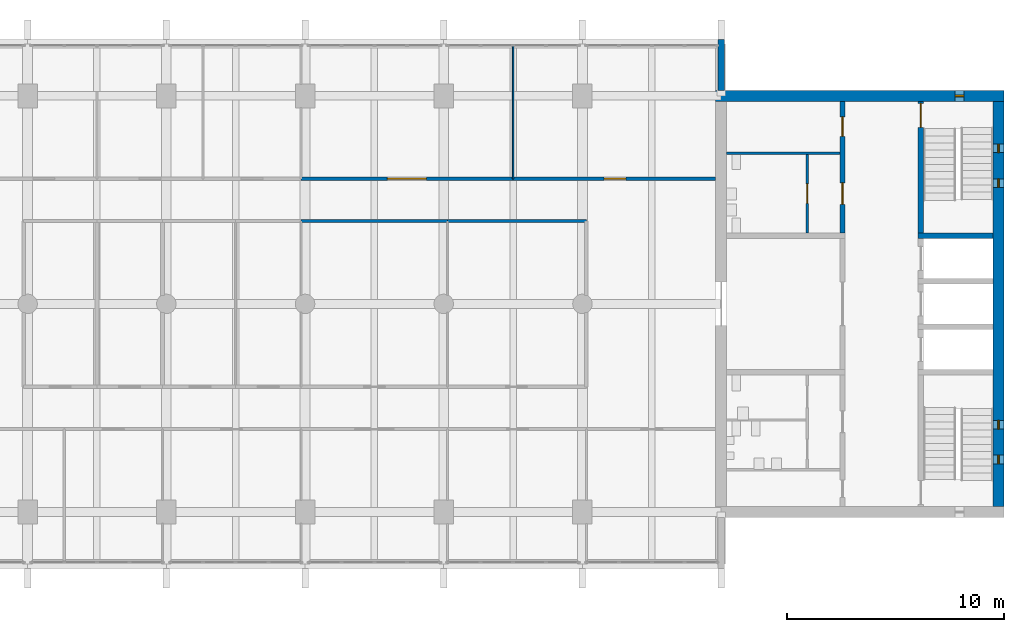
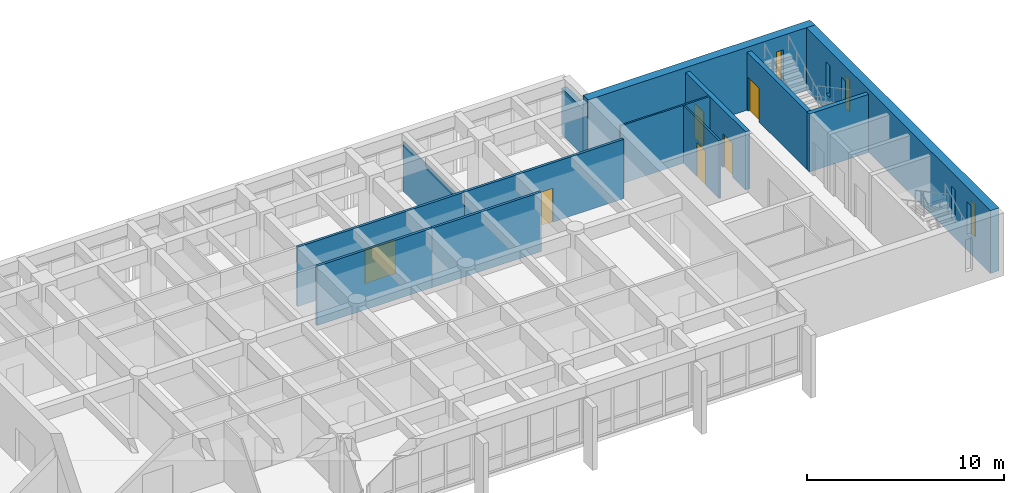
# One storey, part 12 of 15: 13 walls, 6 doors, 5 windows, 11 openings.
"""IFC4 building model written with IfcOpenShell, lengths in metres."""

from ifc_helpers import new_model, si_unit, direction, frame, frame_2d, origin, place, context, subcontext, project, spatial, rectangle, extrude, material, layer, layer_set, type_object, element, fill, save


model = new_model("IFC4")

# Units and contexts
model_context = context("Model", 3, precision=1e-05, world=origin(), true_north=direction((0.0, 1.0)))
body_context = subcontext(model_context, "Body", "Model", "MODEL_VIEW")
ifc_project = project(units=[si_unit("LENGTHUNIT", "METRE"), si_unit("AREAUNIT", "SQUARE_METRE"), si_unit("VOLUMEUNIT", "CUBIC_METRE"), si_unit("PLANEANGLEUNIT", "RADIAN"), si_unit("MASSUNIT", "GRAM", prefix="KILO")], contexts=[model_context])

# Site, building, storey
site_placement = place(None, origin())
site = spatial("IfcSite", under=ifc_project, at=site_placement, CompositionType="ELEMENT")
building_placement = place(site_placement, origin())
building = spatial("IfcBuilding", under=site, at=building_placement, Name="Fogon Plaza Fire Station and Headquarters Tower", CompositionType="ELEMENT")
storey_placement = place(building_placement, frame((0.0, 0.0, 48.300048828125)))
storey = spatial("IfcBuildingStorey", under=building, at=storey_placement, Name="L12", CompositionType="ELEMENT", Elevation=48.300048828125)

# Wall
ifc_material_1 = material(Name="Concrete C40", Category="concrete")
ifc_layer_1 = layer(ifc_material_1, 0.25)
ifc_layer_set_1 = layer_set([ifc_layer_1], Name="Concrete C40")
wall_type_1 = type_object("IfcWallType", Name="Core Wall RC 250", PredefinedType="SOLIDWALL", material=ifc_layer_set_1)
wall_1_placement = place(storey_placement, frame((76.550048828125, 46.35009765625, 0.0), z_axis=(0.0, 0.0, 1.0), x_axis=(-1.0, 0.0, 0.0)))
element("IfcWall", 1, at=wall_1_placement, inside=storey, type_object=wall_type_1, Name="Core B shaft wall", PredefinedType="SOLIDWALL", context=body_context, shape_type="SweptSolid", body=[
    extrude(rectangle(XDim=3.47509765625, YDim=0.25, at=frame_2d((1.737548828125, 0.0))), origin(), (0.0, 0.0, 1.0), 3.599853515625),
])

# Wall, opening, door
wall_2_placement = place(storey_placement, frame((73.199951171875, 46.47509765625, 0.0), z_axis=(0.0, 0.0, 1.0), x_axis=(0.0, 1.0, 0.0)))
wall_2 = element("IfcWall", 2, at=wall_2_placement, inside=storey, type_object=wall_type_1, Name="Core B shaft wall", PredefinedType="SOLIDWALL", context=body_context, shape_type="SweptSolid", body=[
    extrude(rectangle(XDim=6.074951171875, YDim=0.25, at=frame_2d((3.03759765625, 0.0))), origin(), (0.0, 0.0, 1.0), 3.599853515625),
])
opening_1_placement = place(wall_2_placement, frame((4.875, 0.0, 0.0)))
opening_1 = element("IfcOpeningElement", 3, at=opening_1_placement, cuts=wall_2, Name="Opening L12-D16", PredefinedType="OPENING", context=body_context, shape_type="SweptSolid", body=[
    extrude(rectangle(XDim=1.10009765625, YDim=2.10009765625, at=frame_2d((0.550048828125, 1.050048828125))), frame((0.0, 0.135009765625, 0.0), z_axis=(0.0, -1.0, 0.0), x_axis=(1.0, 0.0, 0.0)), (0.0, 0.0, 1.0), 0.27001953125),
])
ifc_material_2 = material(Name="Steel Fire Door Leaf", Category="steel")
door_type_1 = type_object("IfcDoorType", Name="Stair Door Single 1100x2100", OperationType="SINGLE_SWING_LEFT", PredefinedType="DOOR", material=ifc_material_2)
door_1_placement = place(opening_1_placement, frame((1.10009765625, 0.0, 0.0), z_axis=(0.0, 0.0, 1.0), x_axis=(-1.0, 0.0, 0.0)))
door_1 = element("IfcDoor", 4, at=door_1_placement, inside=storey, type_object=door_type_1, Name="Stair door ST4", OperationType="SINGLE_SWING_LEFT", OverallHeight=2.10009765625, OverallWidth=1.10009765625, PredefinedType="DOOR", context=body_context, shape_type="SweptSolid", body=[
    extrude(rectangle(XDim=1.10009765625, YDim=2.10009765625, at=frame_2d((0.550048828125, 1.050048828125))), frame((0.0, 0.02490234375, 0.0), z_axis=(0.0, -1.0, 0.0), x_axis=(1.0, 0.0, 0.0)), (0.0, 0.0, 1.0), 0.050048828125),
])
fill(opening_1, door_1)

# Wall, openings, doors
wall_3_placement = place(storey_placement, frame((69.60009765625, 46.47509765625, 0.0), z_axis=(0.0, 0.0, 1.0), x_axis=(0.0, 1.0, 0.0)))
wall_3 = element("IfcWall", 5, at=wall_3_placement, inside=storey, type_object=wall_type_1, Name="Core B shaft wall", PredefinedType="SOLIDWALL", context=body_context, shape_type="SweptSolid", body=[
    extrude(rectangle(XDim=6.074951171875, YDim=0.25, at=frame_2d((3.03759765625, 0.0))), origin(), (0.0, 0.0, 1.0), 3.599853515625),
])
opening_2_placement = place(wall_3_placement, frame((1.3125, 0.0, 0.0)))
opening_2 = element("IfcOpeningElement", 6, at=opening_2_placement, cuts=wall_3, Name="Opening L12-D26", PredefinedType="OPENING", context=body_context, shape_type="SweptSolid", body=[
    extrude(rectangle(XDim=1.0, YDim=2.10009765625, at=frame_2d((0.5, 1.050048828125))), frame((0.0, 0.135009765625, 0.0), z_axis=(0.0, -1.0, 0.0), x_axis=(1.0, 0.0, 0.0)), (0.0, 0.0, 1.0), 0.27001953125),
])
opening_3_placement = place(wall_3_placement, frame((4.449951171875, 0.0, 0.0)))
opening_3 = element("IfcOpeningElement", 7, at=opening_3_placement, cuts=wall_3, Name="Opening L12-D28", PredefinedType="OPENING", context=body_context, shape_type="SweptSolid", body=[
    extrude(rectangle(XDim=0.89990234375, YDim=2.10009765625, at=frame_2d((0.449951171875, 1.050048828125))), frame((0.0, 0.135009765625, 0.0), z_axis=(0.0, -1.0, 0.0), x_axis=(1.0, 0.0, 0.0)), (0.0, 0.0, 1.0), 0.27001953125),
])
ifc_material_3 = material(Name="Steel Fire Door Leaf", Category="steel")
door_type_2 = type_object("IfcDoorType", Name="Riser Single 900x2100", OperationType="SINGLE_SWING_LEFT", PredefinedType="DOOR", material=ifc_material_3)
door_2_placement = place(opening_3_placement, origin())
door_2 = element("IfcDoor", 8, at=door_2_placement, inside=storey, type_object=door_type_2, Name="Riser room B door", OperationType="SINGLE_SWING_LEFT", OverallHeight=2.10009765625, OverallWidth=0.89990234375, PredefinedType="DOOR", context=body_context, shape_type="SweptSolid", body=[
    extrude(rectangle(XDim=0.89990234375, YDim=2.10009765625, at=frame_2d((0.449951171875, 1.050048828125))), frame((0.0, 0.02490234375, 0.0), z_axis=(0.0, -1.0, 0.0), x_axis=(1.0, 0.0, 0.0)), (0.0, 0.0, 1.0), 0.050048828125),
])
fill(opening_3, door_2)
ifc_material_4 = material(Name="Timber fire door", Category="wood")
door_type_3 = type_object("IfcDoorType", Name="WC Lobby Single 1000x2100", OperationType="SINGLE_SWING_LEFT", PredefinedType="DOOR", material=ifc_material_4)
door_3_placement = place(opening_2_placement, origin())
door_3 = element("IfcDoor", 9, at=door_3_placement, inside=storey, type_object=door_type_3, Name="Women's WC lobby B door", OperationType="SINGLE_SWING_LEFT", OverallHeight=2.10009765625, OverallWidth=1.0, PredefinedType="DOOR", context=body_context, shape_type="SweptSolid", body=[
    extrude(rectangle(XDim=1.0, YDim=2.10009765625, at=frame_2d((0.5, 1.050048828125))), frame((0.0, 0.02490234375, 0.0), z_axis=(0.0, -1.0, 0.0), x_axis=(1.0, 0.0, 0.0)), (0.0, 0.0, 1.0), 0.050048828125),
])
fill(opening_2, door_3)

# Wall
ifc_material_5 = material(Name="Concrete C40", Category="concrete")
ifc_layer_2 = layer(ifc_material_5, 0.300048828125)
ifc_layer_set_2 = layer_set([ifc_layer_2], Name="Concrete C40")
wall_type_2 = type_object("IfcWallType", Name="Fair-faced RC Return Panel 300", PredefinedType="SOLIDWALL", material=ifc_layer_set_2)
wall_4_placement = place(storey_placement, frame((64.0, 53.050048828125, 0.0), z_axis=(0.0, 0.0, 1.0), x_axis=(0.0, 1.0, 0.0)))
element("IfcWall", 10, at=wall_4_placement, inside=storey, type_object=wall_type_2, Name="Bar end return EN L12", PredefinedType="SOLIDWALL", context=body_context, shape_type="SweptSolid", body=[
    extrude(rectangle(XDim=2.349853515625, YDim=0.300048828125, at=frame_2d((1.1748046875, 0.0))), origin(), (0.0, 0.0, 1.0), 2.8798828125),
])

# Wall, opening, door
ifc_material_6 = material(Name="Blockwork", Category="masonry")
ifc_layer_3 = layer(ifc_material_6, 0.10009765625)
ifc_layer_set_3 = layer_set([ifc_layer_3], Name="Blockwork")
wall_type_3 = type_object("IfcWallType", Name="Partition Blockwork 100", PredefinedType="PARTITIONING", material=ifc_layer_set_3)
wall_5_placement = place(storey_placement, frame((67.97509765625, 46.47509765625, 0.0), z_axis=(0.0, 0.0, 1.0), x_axis=(0.0, 1.0, 0.0)))
wall_5 = element("IfcWall", 11, at=wall_5_placement, inside=storey, type_object=wall_type_3, Name="WC block partition", PredefinedType="PARTITIONING", context=body_context, shape_type="SweptSolid", body=[
    extrude(rectangle(XDim=3.625, YDim=0.10009765625, at=frame_2d((1.8125, 0.0))), origin(), (0.0, 0.0, 1.0), 3.599853515625),
])
opening_4_placement = place(wall_5_placement, frame((1.362548828125, 0.0, 0.0)))
opening_4 = element("IfcOpeningElement", 12, at=opening_4_placement, cuts=wall_5, Name="Opening L12-D27", PredefinedType="OPENING", context=body_context, shape_type="SweptSolid", body=[
    extrude(rectangle(XDim=0.89990234375, YDim=2.10009765625, at=frame_2d((0.449951171875, 1.050048828125))), frame((0.0, 0.06005859375, 0.0), z_axis=(0.0, -1.0, 0.0), x_axis=(1.0, 0.0, 0.0)), (0.0, 0.0, 1.0), 0.1201171875),
])
ifc_material_7 = material(Name="Timber Door Leaf", Category="wood")
door_type_4 = type_object("IfcDoorType", Name="WC Single 900x2100", OperationType="SINGLE_SWING_LEFT", PredefinedType="DOOR", material=ifc_material_7)
door_4_placement = place(opening_4_placement, origin())
door_4 = element("IfcDoor", 13, at=door_4_placement, inside=storey, type_object=door_type_4, Name="Women's WC B door", OperationType="SINGLE_SWING_RIGHT", OverallHeight=2.10009765625, OverallWidth=0.89990234375, PredefinedType="DOOR", context=body_context, shape_type="SweptSolid", body=[
    extrude(rectangle(XDim=0.89990234375, YDim=2.10009765625, at=frame_2d((0.449951171875, 1.050048828125))), frame((0.0, 0.02490234375, 0.0), z_axis=(0.0, -1.0, 0.0), x_axis=(1.0, 0.0, 0.0)), (0.0, 0.0, 1.0), 0.050048828125),
])
fill(opening_4, door_4)

# Wall
ifc_material_8 = material(Name="Blockwork", Category="masonry")
ifc_layer_4 = layer(ifc_material_8, 0.10009765625)
ifc_layer_set_4 = layer_set([ifc_layer_4], Name="Blockwork")
wall_type_4 = type_object("IfcWallType", Name="Riser Partition Blockwork 100", PredefinedType="PARTITIONING", material=ifc_layer_set_4)
wall_6_placement = place(storey_placement, frame((69.47509765625, 50.14990234375, 0.0), z_axis=(0.0, 0.0, 1.0), x_axis=(-1.0, 0.0, 0.0)))
element("IfcWall", 14, at=wall_6_placement, inside=storey, type_object=wall_type_4, Name="Riser room partition", PredefinedType="PARTITIONING", context=body_context, shape_type="SweptSolid", body=[
    extrude(rectangle(XDim=5.22509765625, YDim=0.10009765625, at=frame_2d((2.612548828125, 0.0))), origin(), (0.0, 0.0, 1.0), 3.599853515625),
])

# Wall, opening, window
ifc_material_9 = material(Name="Concrete C40", Category="concrete")
ifc_layer_5 = layer(ifc_material_9, 0.5)
ifc_layer_set_5 = layer_set([ifc_layer_5], Name="Concrete C40")
wall_type_5 = type_object("IfcWallType", Name="Shear wall 500 SW50", PredefinedType="SHEAR", material=ifc_layer_set_5)
wall_7_placement = place(storey_placement, frame((63.75, 52.800048828125, 0.0), z_axis=(0.0, 0.0, 1.0), x_axis=(1.0, 0.0, 0.0)))
wall_7 = element("IfcWall", 15, at=wall_7_placement, inside=storey, type_object=wall_type_5, Name="wall-coreB-N-L12", PredefinedType="SHEAR", context=body_context, shape_type="SweptSolid", body=[
    extrude(rectangle(XDim=13.300048828125, YDim=0.5, at=frame_2d((6.64990234375, 0.0))), origin(), (0.0, 0.0, 1.0), 3.89990234375),
])
opening_5_placement = place(wall_7_placement, frame((11.050048828125, 0.0, 1.0)))
opening_5 = element("IfcOpeningElement", 16, at=opening_5_placement, cuts=wall_7, Name="Opening WS1", PredefinedType="OPENING", context=body_context, shape_type="SweptSolid", body=[
    extrude(rectangle(XDim=0.39990234375, YDim=2.0, at=frame_2d((0.199951171875, 1.0))), frame((0.0, 0.260009765625, 0.0), z_axis=(0.0, -1.0, 0.0), x_axis=(1.0, 0.0, 0.0)), (0.0, 0.0, 1.0), 0.52001953125),
])
ifc_material_10 = material(Name="Aluminium framed double glazing", Category="aluminium")
window_type = type_object("IfcWindowType", Name="Slit Window WS1 400x2000", PartitioningType="SINGLE_PANEL", PredefinedType="WINDOW", material=ifc_material_10)
window_1_placement = place(opening_5_placement, origin())
window_1 = element("IfcWindow", 17, at=window_1_placement, inside=storey, type_object=window_type, Name="Slit window B6 L12", OverallHeight=2.0, OverallWidth=0.39990234375, PartitioningType="SINGLE_PANEL", PredefinedType="WINDOW", context=body_context, shape_type="SweptSolid", body=[
    extrude(rectangle(XDim=0.39990234375, YDim=2.0, at=frame_2d((0.199951171875, 1.0))), frame((0.0, 0.030029296875, 0.0), z_axis=(0.0, -1.0, 0.0), x_axis=(1.0, 0.0, 0.0)), (0.0, 0.0, 1.0), 0.06005859375),
])
fill(opening_5, window_1)

# Wall, openings, windows
wall_8_placement = place(storey_placement, frame((76.800048828125, 33.85009765625, 0.0), z_axis=(0.0, 0.0, 1.0), x_axis=(0.0, 1.0, 0.0)))
wall_8 = element("IfcWall", 18, at=wall_8_placement, inside=storey, type_object=wall_type_5, Name="wall-coreB-E-L12", PredefinedType="SHEAR", context=body_context, shape_type="SweptSolid", body=[
    extrude(rectangle(XDim=18.699951171875, YDim=0.5, at=frame_2d((9.35009765625, 0.0))), origin(), (0.0, 0.0, 1.0), 3.89990234375),
])
opening_6_placement = place(wall_8_placement, frame((1.97509765625, 0.0, 1.0)))
opening_6 = element("IfcOpeningElement", 19, at=opening_6_placement, cuts=wall_8, Name="Opening WS1", PredefinedType="OPENING", context=body_context, shape_type="SweptSolid", body=[
    extrude(rectangle(XDim=0.39990234375, YDim=2.0, at=frame_2d((0.199951171875, 1.0))), frame((0.0, 0.260009765625, 0.0), z_axis=(0.0, -1.0, 0.0), x_axis=(1.0, 0.0, 0.0)), (0.0, 0.0, 1.0), 0.52001953125),
])
opening_7_placement = place(wall_8_placement, frame((3.574951171875, 0.0, 1.0)))
opening_7 = element("IfcOpeningElement", 20, at=opening_7_placement, cuts=wall_8, Name="Opening WS1", PredefinedType="OPENING", context=body_context, shape_type="SweptSolid", body=[
    extrude(rectangle(XDim=0.39990234375, YDim=2.0, at=frame_2d((0.199951171875, 1.0))), frame((0.0, 0.260009765625, 0.0), z_axis=(0.0, -1.0, 0.0), x_axis=(1.0, 0.0, 0.0)), (0.0, 0.0, 1.0), 0.52001953125),
])
opening_8_placement = place(wall_8_placement, frame((14.72509765625, 0.0, 1.0)))
opening_8 = element("IfcOpeningElement", 21, at=opening_8_placement, cuts=wall_8, Name="Opening WS1", PredefinedType="OPENING", context=body_context, shape_type="SweptSolid", body=[
    extrude(rectangle(XDim=0.39990234375, YDim=2.0, at=frame_2d((0.199951171875, 1.0))), frame((0.0, 0.260009765625, 0.0), z_axis=(0.0, -1.0, 0.0), x_axis=(1.0, 0.0, 0.0)), (0.0, 0.0, 1.0), 0.52001953125),
])
opening_9_placement = place(wall_8_placement, frame((16.324951171875, 0.0, 1.0)))
opening_9 = element("IfcOpeningElement", 22, at=opening_9_placement, cuts=wall_8, Name="Opening WS1", PredefinedType="OPENING", context=body_context, shape_type="SweptSolid", body=[
    extrude(rectangle(XDim=0.39990234375, YDim=2.0, at=frame_2d((0.199951171875, 1.0))), frame((0.0, 0.260009765625, 0.0), z_axis=(0.0, -1.0, 0.0), x_axis=(1.0, 0.0, 0.0)), (0.0, 0.0, 1.0), 0.52001953125),
])
window_2_placement = place(opening_6_placement, origin())
window_2 = element("IfcWindow", 23, at=window_2_placement, inside=storey, type_object=window_type, Name="Slit window B1 L12", OverallHeight=2.0, OverallWidth=0.39990234375, PartitioningType="SINGLE_PANEL", PredefinedType="WINDOW", context=body_context, shape_type="SweptSolid", body=[
    extrude(rectangle(XDim=0.39990234375, YDim=2.0, at=frame_2d((0.199951171875, 1.0))), frame((0.0, 0.030029296875, 0.0), z_axis=(0.0, -1.0, 0.0), x_axis=(1.0, 0.0, 0.0)), (0.0, 0.0, 1.0), 0.06005859375),
])
fill(opening_6, window_2)
window_3_placement = place(opening_7_placement, origin())
window_3 = element("IfcWindow", 24, at=window_3_placement, inside=storey, type_object=window_type, Name="Slit window B2 L12", OverallHeight=2.0, OverallWidth=0.39990234375, PartitioningType="SINGLE_PANEL", PredefinedType="WINDOW", context=body_context, shape_type="SweptSolid", body=[
    extrude(rectangle(XDim=0.39990234375, YDim=2.0, at=frame_2d((0.199951171875, 1.0))), frame((0.0, 0.030029296875, 0.0), z_axis=(0.0, -1.0, 0.0), x_axis=(1.0, 0.0, 0.0)), (0.0, 0.0, 1.0), 0.06005859375),
])
fill(opening_7, window_3)
window_4_placement = place(opening_8_placement, origin())
window_4 = element("IfcWindow", 25, at=window_4_placement, inside=storey, type_object=window_type, Name="Slit window B3 L12", OverallHeight=2.0, OverallWidth=0.39990234375, PartitioningType="SINGLE_PANEL", PredefinedType="WINDOW", context=body_context, shape_type="SweptSolid", body=[
    extrude(rectangle(XDim=0.39990234375, YDim=2.0, at=frame_2d((0.199951171875, 1.0))), frame((0.0, 0.030029296875, 0.0), z_axis=(0.0, -1.0, 0.0), x_axis=(1.0, 0.0, 0.0)), (0.0, 0.0, 1.0), 0.06005859375),
])
fill(opening_8, window_4)
window_5_placement = place(opening_9_placement, origin())
window_5 = element("IfcWindow", 26, at=window_5_placement, inside=storey, type_object=window_type, Name="Slit window B4 L12", OverallHeight=2.0, OverallWidth=0.39990234375, PartitioningType="SINGLE_PANEL", PredefinedType="WINDOW", context=body_context, shape_type="SweptSolid", body=[
    extrude(rectangle(XDim=0.39990234375, YDim=2.0, at=frame_2d((0.199951171875, 1.0))), frame((0.0, 0.030029296875, 0.0), z_axis=(0.0, -1.0, 0.0), x_axis=(1.0, 0.0, 0.0)), (0.0, 0.0, 1.0), 0.06005859375),
])
fill(opening_9, window_5)

# Walls
ifc_material_11 = material(Name="Gypsum board on steel stud", Category="steel")
ifc_layer_6 = layer(ifc_material_11, 0.14990234375)
ifc_layer_set_6 = layer_set([ifc_layer_6], Name="Gypsum board on steel stud")
wall_type_6 = type_object("IfcWallType", Name="Tower corridor partition 150 EI 60", PredefinedType="PARTITIONING", material=ifc_layer_set_6)
wall_9_placement = place(storey_placement, frame((44.6201171875, 47.02490234375, 0.0), z_axis=(0.0, 0.0, 1.0), x_axis=(1.0, 0.0, 0.0)))
element("IfcWall", 27, at=wall_9_placement, inside=storey, type_object=wall_type_6, Name="part-L12-25", PredefinedType="PARTITIONING", context=body_context, shape_type="SweptSolid", body=[
    extrude(rectangle(XDim=6.759765625, YDim=0.14990234375, at=frame_2d((3.3798828125, 0.0))), origin(), (0.0, 0.0, 1.0), 3.679931640625),
])
wall_10_placement = place(storey_placement, frame((51.3798828125, 47.02490234375, 0.0), z_axis=(0.0, 0.0, 1.0), x_axis=(1.0, 0.0, 0.0)))
element("IfcWall", 28, at=wall_10_placement, inside=storey, type_object=wall_type_6, Name="part-L12-27", PredefinedType="PARTITIONING", context=body_context, shape_type="SweptSolid", body=[
    extrude(rectangle(XDim=6.400146484375, YDim=0.14990234375, at=frame_2d((3.2001953125, 0.0))), origin(), (0.0, 0.0, 1.0), 3.679931640625),
])

# Wall, opening, door
wall_11_placement = place(storey_placement, frame((44.6201171875, 48.97509765625, 0.0), z_axis=(0.0, 0.0, 1.0), x_axis=(1.0, 0.0, 0.0)))
wall_11 = element("IfcWall", 29, at=wall_11_placement, inside=storey, type_object=wall_type_6, Name="part-L12-40", PredefinedType="PARTITIONING", context=body_context, shape_type="SweptSolid", body=[
    extrude(rectangle(XDim=9.77978515625, YDim=0.14990234375, at=frame_2d((4.889892578125, 0.0))), origin(), (0.0, 0.0, 1.0), 3.679931640625),
])
opening_10_placement = place(wall_11_placement, frame((3.97998046875, 0.0, 0.0)))
opening_10 = element("IfcOpeningElement", 30, at=opening_10_placement, cuts=wall_11, Name="Opening L12-D45", PredefinedType="OPENING", context=body_context, shape_type="SweptSolid", body=[
    extrude(rectangle(XDim=1.800048828125, YDim=2.10009765625, at=frame_2d((0.89990234375, 1.050048828125))), frame((0.0, 0.0849609375, 0.0), z_axis=(0.0, -1.0, 0.0), x_axis=(1.0, 0.0, 0.0)), (0.0, 0.0, 1.0), 0.169921875),
])
ifc_material_12 = material(Name="Timber fire door", Category="wood")
door_type_5 = type_object("IfcDoorType", Name="Tower fire door double 1800 EI 20", OperationType="DOUBLE_DOOR_SINGLE_SWING", PredefinedType="DOOR", material=ifc_material_12)
door_5_placement = place(opening_10_placement, origin())
door_5 = element("IfcDoor", 31, at=door_5_placement, inside=storey, type_object=door_type_5, Name="door-L12-17", OperationType="DOUBLE_DOOR_SINGLE_SWING", OverallHeight=2.10009765625, OverallWidth=1.800048828125, PredefinedType="DOOR", context=body_context, shape_type="SweptSolid", body=[
    extrude(rectangle(XDim=1.800048828125, YDim=2.10009765625, at=frame_2d((0.89990234375, 1.050048828125))), frame((0.0, 0.02490234375, 0.0), z_axis=(0.0, -1.0, 0.0), x_axis=(1.0, 0.0, 0.0)), (0.0, 0.0, 1.0), 0.050048828125),
])
fill(opening_10, door_5)

wall_12_placement = place(storey_placement, frame((54.39990234375, 48.97509765625, 0.0), z_axis=(0.0, 0.0, 1.0), x_axis=(1.0, 0.0, 0.0)))
wall_12 = element("IfcWall", 32, at=wall_12_placement, inside=storey, type_object=wall_type_6, Name="part-L12-41", PredefinedType="PARTITIONING", context=body_context, shape_type="SweptSolid", body=[
    extrude(rectangle(XDim=9.35009765625, YDim=0.14990234375, at=frame_2d((4.675048828125, 0.0))), origin(), (0.0, 0.0, 1.0), 3.679931640625),
])
opening_11_placement = place(wall_12_placement, frame((4.199951171875, 0.0, 0.0)))
opening_11 = element("IfcOpeningElement", 33, at=opening_11_placement, cuts=wall_12, Name="Opening L12-D46", PredefinedType="OPENING", context=body_context, shape_type="SweptSolid", body=[
    extrude(rectangle(XDim=1.0, YDim=2.10009765625, at=frame_2d((0.5, 1.050048828125))), frame((0.0, 0.0849609375, 0.0), z_axis=(0.0, -1.0, 0.0), x_axis=(1.0, 0.0, 0.0)), (0.0, 0.0, 1.0), 0.169921875),
])
ifc_material_13 = material(Name="Fire rated glazed door")
door_type_6 = type_object("IfcDoorType", Name="Tower glazed fire door single 1000 EI 20", OperationType="SINGLE_SWING_LEFT", PredefinedType="DOOR", material=ifc_material_13)
door_6_placement = place(opening_11_placement, origin())
door_6 = element("IfcDoor", 34, at=door_6_placement, inside=storey, type_object=door_type_6, Name="door-L12-18", OperationType="SINGLE_SWING_LEFT", OverallHeight=2.10009765625, OverallWidth=1.0, PredefinedType="DOOR", context=body_context, shape_type="SweptSolid", body=[
    extrude(rectangle(XDim=1.0, YDim=2.10009765625, at=frame_2d((0.5, 1.050048828125))), frame((0.0, 0.02490234375, 0.0), z_axis=(0.0, -1.0, 0.0), x_axis=(1.0, 0.0, 0.0)), (0.0, 0.0, 1.0), 0.050048828125),
])
fill(opening_11, door_6)

# Wall
ifc_material_14 = material(Name="Glazed aluminium partition", Category="aluminium")
ifc_layer_7 = layer(ifc_material_14, 0.074951171875)
ifc_layer_set_7 = layer_set([ifc_layer_7], Name="Glazed aluminium partition")
wall_type_7 = type_object("IfcWallType", Name="Tower glazed partition 75 Beam Head 600", PredefinedType="PARTITIONING", material=ifc_layer_set_7)
wall_13_placement = place(storey_placement, frame((54.39990234375, 48.97509765625, 0.0), z_axis=(0.0, 0.0, 1.0), x_axis=(0.0, 1.0, 0.0)))
element("IfcWall", 35, at=wall_13_placement, inside=storey, type_object=wall_type_7, Name="part-L12-47", PredefinedType="PARTITIONING", context=body_context, shape_type="SweptSolid", body=[
    extrude(rectangle(XDim=6.125, YDim=0.074951171875, at=frame_2d((3.0625, 0.0))), origin(), (0.0, 0.0, 1.0), 3.079833984375),
])

save(model, "model.ifc")
